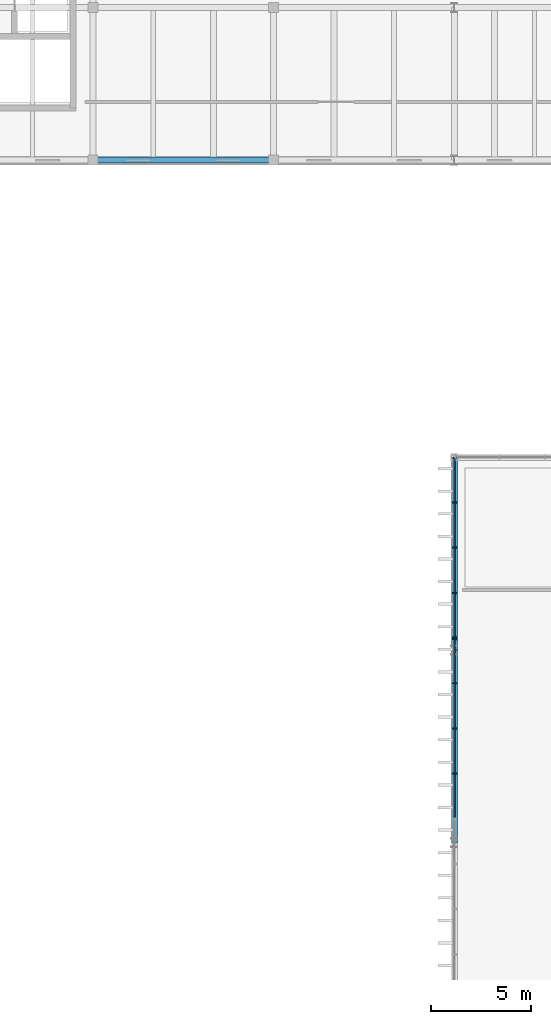
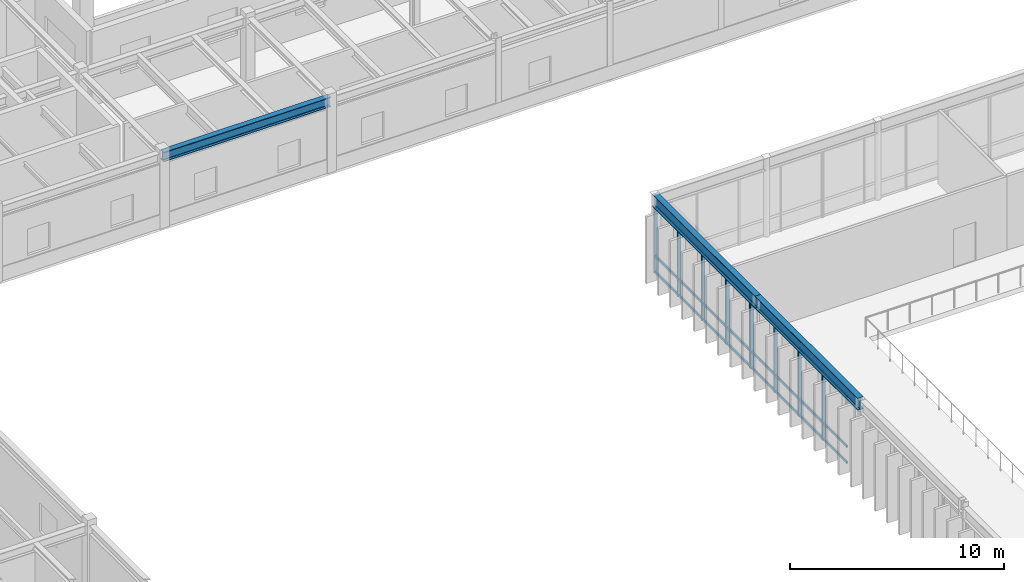
# One storey, part 25 of 64: 15 members, 3 beams, 2 elements without a shape of their own.
"""IFC4 building model written with IfcOpenShell, lengths in metres."""

from ifc_helpers import new_model, si_unit, direction, frame, origin, origin_2d, place, context, subcontext, project, spatial, rectangle, i_section, extrude, material, layer, layer_set, material_profile, profile_set, type_object, element, aggregate, save


model = new_model("IFC4")

# Units and contexts
model_context = context("Model", 3, precision=1e-05, world=origin(), true_north=direction((0.0, 1.0)))
body_context = subcontext(model_context, "Body", "Model", "MODEL_VIEW")
ifc_project = project(units=[si_unit("LENGTHUNIT", "METRE"), si_unit("AREAUNIT", "SQUARE_METRE"), si_unit("VOLUMEUNIT", "CUBIC_METRE"), si_unit("PLANEANGLEUNIT", "RADIAN"), si_unit("MASSUNIT", "GRAM", prefix="KILO")], contexts=[model_context])

# Site, building, storey
site_placement = place(None, origin())
site = spatial("IfcSite", under=ifc_project, at=site_placement, CompositionType="ELEMENT")
building_placement = place(site_placement, origin())
building = spatial("IfcBuilding", under=site, at=building_placement, Name="Montealbar Specialist Clinic", CompositionType="ELEMENT")
storey_placement = place(building_placement, frame((0.0, 0.0, 5.10009765625)))
storey = spatial("IfcBuildingStorey", under=building, at=storey_placement, Name="L01", CompositionType="ELEMENT", Elevation=5.10009765625)

# Beams
ifc_material_1 = material(Name="Steel S355", Category="steel")
ifc_material_profile_1 = material_profile(ifc_material_1, i_section(OverallWidth=0.300048828125, OverallDepth=0.550048828125, WebThickness=0.014892578125, FlangeThickness=0.029052734375, FilletRadius=0.027099609375, at=origin_2d()), Name="HEB 550", Category="steel")
ifc_profile_set_1 = profile_set([ifc_material_profile_1], Name="Steel S355")
beam_type_1 = type_object("IfcBeamType", Name="BM-GIRD-HEB550-EXT", PredefinedType="BEAM", material=ifc_profile_set_1)
beam_1_placement = place(storey_placement, frame((36.0, 95.800048828125, 3.954833984375), z_axis=(1.0, 0.0, 0.0), x_axis=(0.0, 1.0, 0.0)))
element("IfcBeam", 1, at=beam_1_placement, inside=storey, type_object=beam_type_1, Name="Beam GX-L01-360-450-958", PredefinedType="BEAM", context=body_context, shape_type="SweptSolid", body=[
    extrude(i_section(OverallWidth=0.300048828125, OverallDepth=0.550048828125, WebThickness=0.014892578125, FlangeThickness=0.029052734375, FilletRadius=0.027099609375, at=origin_2d()), origin(), (0.0, 0.0, 1.0), 9.0),
])
ifc_material_profile_2 = material_profile(ifc_material_1, i_section(OverallWidth=0.300048828125, OverallDepth=0.699951171875, WebThickness=0.01708984375, FlangeThickness=0.031982421875, FilletRadius=0.027099609375, at=origin_2d()), Name="HEB 700", Category="steel")
ifc_profile_set_2 = profile_set([ifc_material_profile_2], Name="Steel S355")
beam_type_2 = type_object("IfcBeamType", Name="BM-RING-HEB700-EXT", PredefinedType="BEAM", material=ifc_profile_set_2)
beam_2_placement = place(storey_placement, frame((54.0, 61.800048828125, 4.14990234375), z_axis=(0.0, 1.0, 0.0), x_axis=(-1.0, 0.0, 0.0)))
element("IfcBeam", 2, at=beam_2_placement, inside=storey, type_object=beam_type_2, Name="Gridshell perimeter ring beam RB-01 Y 61.8-71.4", PredefinedType="BEAM", context=body_context, shape_type="SweptSolid", body=[
    extrude(i_section(OverallWidth=0.300048828125, OverallDepth=0.699951171875, WebThickness=0.01708984375, FlangeThickness=0.031982421875, FilletRadius=0.027099609375, at=origin_2d()), origin(), (0.0, 0.0, 1.0), 9.599853515625),
])
beam_3_placement = place(storey_placement, frame((54.0, 71.39990234375, 4.14990234375), z_axis=(0.0, 1.0, 0.0), x_axis=(-1.0, 0.0, 0.0)))
element("IfcBeam", 3, at=beam_3_placement, inside=storey, type_object=beam_type_2, Name="Gridshell perimeter ring beam RB-01 Y 71.4-81.0", PredefinedType="BEAM", context=body_context, shape_type="SweptSolid", body=[
    extrude(i_section(OverallWidth=0.300048828125, OverallDepth=0.699951171875, WebThickness=0.01708984375, FlangeThickness=0.031982421875, FilletRadius=0.027099609375, at=origin_2d()), origin(), (0.0, 0.0, 1.0), 9.60009765625),
])

# Curtain wall, members
ifc_material_2 = material(Name="Low-E double glazing", Category="glass")
ifc_layer = layer(ifc_material_2, 0.199951171875, Name="Low-E double glazing", Category="glass")
ifc_layer_set = layer_set([ifc_layer], Name="Low-E double glazing")
curtain_wall_type = type_object("IfcCurtainWallType", Name="CW-TYPE-08", PredefinedType="NOTDEFINED", material=ifc_layer_set)
curtain_wall_1_placement = place(storey_placement, origin())
curtain_wall_1 = element("IfcCurtainWall", 4, at=curtain_wall_1_placement, inside=storey, type_object=curtain_wall_type, Name="Unitised Curtain Wall CW-L01-540-630-540-720-51", PredefinedType="NOTDEFINED")
ifc_material_3 = material(Name="Anodised aluminium EN AW-6063", Category="aluminium")
ifc_material_profile_3 = material_profile(ifc_material_3, rectangle(XDim=0.070068359375, YDim=0.179931640625, at=origin_2d()), Name="ALU 70x180", Category="aluminium")
ifc_profile_set_3 = profile_set([ifc_material_profile_3], Name="Anodised aluminium EN AW-6063")
member_type_1 = type_object("IfcMemberType", Name="CW-MUL-200", PredefinedType="MULLION", material=ifc_profile_set_3)
member_1_placement = place(storey_placement, frame((54.0, 65.25, 0.0), z_axis=(0.0, 0.0, 1.0), x_axis=(0.0, 1.0, 0.0)))
member_1 = element("IfcMember", 5, at=member_1_placement, type_object=member_type_1, Name="Curtain Wall Mullion CW-L01-540-630-540-720-51-01", PredefinedType="MULLION", context=body_context, shape_type="SweptSolid", body=[
    extrude(rectangle(XDim=0.070068359375, YDim=0.179931640625, at=origin_2d()), origin(), (0.0, 0.0, 1.0), 3.7998046875),
])
member_2_placement = place(storey_placement, frame((54.0, 67.5, 0.0), z_axis=(0.0, 0.0, 1.0), x_axis=(0.0, 1.0, 0.0)))
member_2 = element("IfcMember", 6, at=member_2_placement, type_object=member_type_1, Name="Curtain Wall Mullion CW-L01-540-630-540-720-51-02", PredefinedType="MULLION", context=body_context, shape_type="SweptSolid", body=[
    extrude(rectangle(XDim=0.070068359375, YDim=0.179931640625, at=origin_2d()), origin(), (0.0, 0.0, 1.0), 3.7998046875),
])
member_3_placement = place(storey_placement, frame((54.0, 69.75, 0.0), z_axis=(0.0, 0.0, 1.0), x_axis=(0.0, 1.0, 0.0)))
member_3 = element("IfcMember", 7, at=member_3_placement, type_object=member_type_1, Name="Curtain Wall Mullion CW-L01-540-630-540-720-51-03", PredefinedType="MULLION", context=body_context, shape_type="SweptSolid", body=[
    extrude(rectangle(XDim=0.070068359375, YDim=0.179931640625, at=origin_2d()), origin(), (0.0, 0.0, 1.0), 3.7998046875),
])
member_4_placement = place(storey_placement, frame((54.0, 71.9599609375, 0.0), z_axis=(0.0, 0.0, 1.0), x_axis=(0.0, 1.0, 0.0)))
member_4 = element("IfcMember", 8, at=member_4_placement, type_object=member_type_1, Name="Curtain Wall Mullion CW-L01-540-630-540-720-51-04", PredefinedType="MULLION", context=body_context, shape_type="SweptSolid", body=[
    extrude(rectangle(XDim=0.070068359375, YDim=0.179931640625, at=origin_2d()), origin(), (0.0, 0.0, 1.0), 3.7998046875),
])

curtain_wall_2_placement = place(storey_placement, origin())
curtain_wall_2 = element("IfcCurtainWall", 9, at=curtain_wall_2_placement, inside=storey, type_object=curtain_wall_type, Name="Unitised Curtain Wall CW-L01-540-720-540-810-51", PredefinedType="NOTDEFINED")
member_5_placement = place(storey_placement, frame((54.0, 72.0400390625, 0.0), z_axis=(0.0, 0.0, 1.0), x_axis=(0.0, 1.0, 0.0)))
member_5 = element("IfcMember", 10, at=member_5_placement, type_object=member_type_1, Name="Curtain Wall Mullion CW-L01-540-720-540-810-51-00", PredefinedType="MULLION", context=body_context, shape_type="SweptSolid", body=[
    extrude(rectangle(XDim=0.070068359375, YDim=0.179931640625, at=origin_2d()), origin(), (0.0, 0.0, 1.0), 3.7998046875),
])
member_6_placement = place(storey_placement, frame((54.0, 74.25, 0.0), z_axis=(0.0, 0.0, 1.0), x_axis=(0.0, 1.0, 0.0)))
member_6 = element("IfcMember", 11, at=member_6_placement, type_object=member_type_1, Name="Curtain Wall Mullion CW-L01-540-720-540-810-51-01", PredefinedType="MULLION", context=body_context, shape_type="SweptSolid", body=[
    extrude(rectangle(XDim=0.070068359375, YDim=0.179931640625, at=origin_2d()), origin(), (0.0, 0.0, 1.0), 3.7998046875),
])
member_7_placement = place(storey_placement, frame((54.0, 76.5, 0.0), z_axis=(0.0, 0.0, 1.0), x_axis=(0.0, 1.0, 0.0)))
member_7 = element("IfcMember", 12, at=member_7_placement, type_object=member_type_1, Name="Curtain Wall Mullion CW-L01-540-720-540-810-51-02", PredefinedType="MULLION", context=body_context, shape_type="SweptSolid", body=[
    extrude(rectangle(XDim=0.070068359375, YDim=0.179931640625, at=origin_2d()), origin(), (0.0, 0.0, 1.0), 3.7998046875),
])
member_8_placement = place(storey_placement, frame((54.0, 78.75, 0.0), z_axis=(0.0, 0.0, 1.0), x_axis=(0.0, 1.0, 0.0)))
member_8 = element("IfcMember", 13, at=member_8_placement, type_object=member_type_1, Name="Curtain Wall Mullion CW-L01-540-720-540-810-51-03", PredefinedType="MULLION", context=body_context, shape_type="SweptSolid", body=[
    extrude(rectangle(XDim=0.070068359375, YDim=0.179931640625, at=origin_2d()), origin(), (0.0, 0.0, 1.0), 3.7998046875),
])
member_9_placement = place(storey_placement, frame((54.0, 80.9599609375, 0.0), z_axis=(0.0, 0.0, 1.0), x_axis=(0.0, 1.0, 0.0)))
member_9 = element("IfcMember", 14, at=member_9_placement, type_object=member_type_1, Name="Curtain Wall Mullion CW-L01-540-720-540-810-51-04", PredefinedType="MULLION", context=body_context, shape_type="SweptSolid", body=[
    extrude(rectangle(XDim=0.070068359375, YDim=0.179931640625, at=origin_2d()), origin(), (0.0, 0.0, 1.0), 3.7998046875),
])

# Member
ifc_material_4 = material(Name="Powder-coated aluminium", Category="aluminium")
ifc_material_profile_4 = material_profile(ifc_material_4, rectangle(XDim=0.070068359375, YDim=0.139892578125, at=origin_2d()), Name="ALU 70x140", Category="aluminium")
ifc_profile_set_4 = profile_set([ifc_material_profile_4], Name="Powder-coated aluminium")
member_type_2 = type_object("IfcMemberType", Name="CW-TRN-140", PredefinedType="USERDEFINED", material=ifc_profile_set_4)
member_10_placement = place(storey_placement, frame((54.0, 63.050048828125, 0.039794921875), z_axis=(0.0, 1.0, 0.0), x_axis=(-1.0, 0.0, 0.0)))
member_10 = element("IfcMember", 15, at=member_10_placement, type_object=member_type_2, Name="Curtain Wall Transom CW-L01-540-630-540-720-51-00", ObjectType="TRANSOM", PredefinedType="USERDEFINED", context=body_context, shape_type="SweptSolid", body=[
    extrude(rectangle(XDim=0.070068359375, YDim=0.139892578125, at=origin_2d()), origin(), (0.0, 0.0, 1.0), 8.89990234375),
])

member_11_placement = place(storey_placement, frame((54.0, 63.050048828125, 0.949951171875), z_axis=(0.0, 1.0, 0.0), x_axis=(-1.0, 0.0, 0.0)))
member_11 = element("IfcMember", 16, at=member_11_placement, type_object=member_type_2, Name="Curtain Wall Transom CW-L01-540-630-540-720-51-01", ObjectType="TRANSOM", PredefinedType="USERDEFINED", context=body_context, shape_type="SweptSolid", body=[
    extrude(rectangle(XDim=0.070068359375, YDim=0.139892578125, at=origin_2d()), origin(), (0.0, 0.0, 1.0), 8.89990234375),
])

member_12_placement = place(storey_placement, frame((54.0, 63.050048828125, 3.760009765625), z_axis=(0.0, 1.0, 0.0), x_axis=(-1.0, 0.0, 0.0)))
member_12 = element("IfcMember", 17, at=member_12_placement, type_object=member_type_2, Name="Curtain Wall Transom CW-L01-540-630-540-720-51-02", ObjectType="TRANSOM", PredefinedType="USERDEFINED", context=body_context, shape_type="SweptSolid", body=[
    extrude(rectangle(XDim=0.070068359375, YDim=0.139892578125, at=origin_2d()), origin(), (0.0, 0.0, 1.0), 8.89990234375),
])

aggregate(curtain_wall_1, [member_1, member_2, member_3, member_4, member_10, member_11, member_12])

member_13_placement = place(storey_placement, frame((54.0, 72.050048828125, 0.039794921875), z_axis=(0.0, 1.0, 0.0), x_axis=(-1.0, 0.0, 0.0)))
member_13 = element("IfcMember", 18, at=member_13_placement, type_object=member_type_2, Name="Curtain Wall Transom CW-L01-540-720-540-810-51-00", ObjectType="TRANSOM", PredefinedType="USERDEFINED", context=body_context, shape_type="SweptSolid", body=[
    extrude(rectangle(XDim=0.070068359375, YDim=0.139892578125, at=origin_2d()), origin(), (0.0, 0.0, 1.0), 8.89990234375),
])

member_14_placement = place(storey_placement, frame((54.0, 72.050048828125, 0.949951171875), z_axis=(0.0, 1.0, 0.0), x_axis=(-1.0, 0.0, 0.0)))
member_14 = element("IfcMember", 19, at=member_14_placement, type_object=member_type_2, Name="Curtain Wall Transom CW-L01-540-720-540-810-51-01", ObjectType="TRANSOM", PredefinedType="USERDEFINED", context=body_context, shape_type="SweptSolid", body=[
    extrude(rectangle(XDim=0.070068359375, YDim=0.139892578125, at=origin_2d()), origin(), (0.0, 0.0, 1.0), 8.89990234375),
])

member_15_placement = place(storey_placement, frame((54.0, 72.050048828125, 3.760009765625), z_axis=(0.0, 1.0, 0.0), x_axis=(-1.0, 0.0, 0.0)))
member_15 = element("IfcMember", 20, at=member_15_placement, type_object=member_type_2, Name="Curtain Wall Transom CW-L01-540-720-540-810-51-02", ObjectType="TRANSOM", PredefinedType="USERDEFINED", context=body_context, shape_type="SweptSolid", body=[
    extrude(rectangle(XDim=0.070068359375, YDim=0.139892578125, at=origin_2d()), origin(), (0.0, 0.0, 1.0), 8.89990234375),
])

aggregate(curtain_wall_2, [member_5, member_6, member_7, member_8, member_9, member_13, member_14, member_15])

save(model, "model.ifc")
